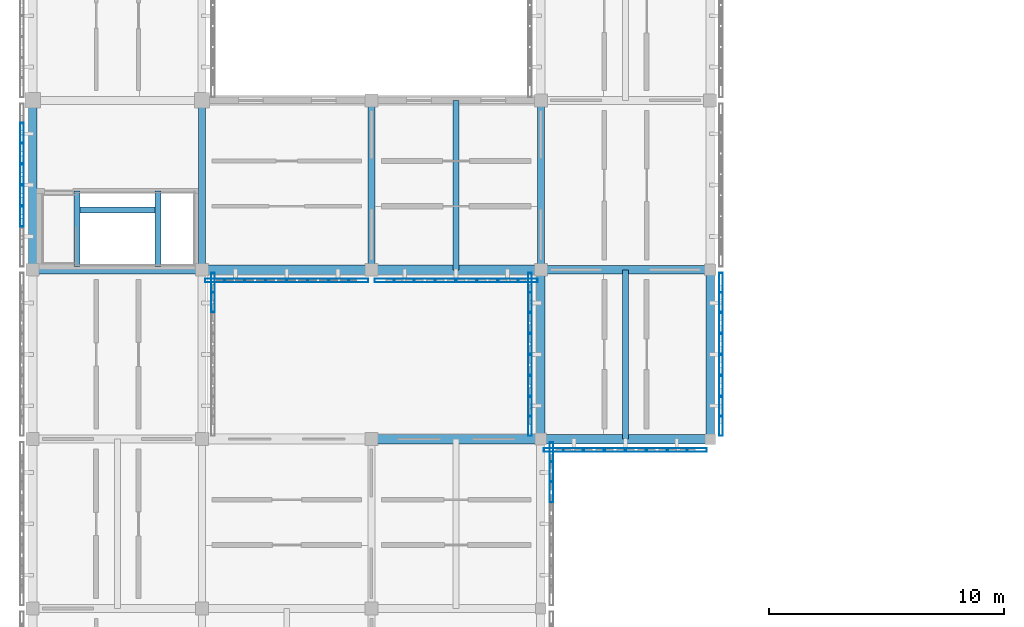
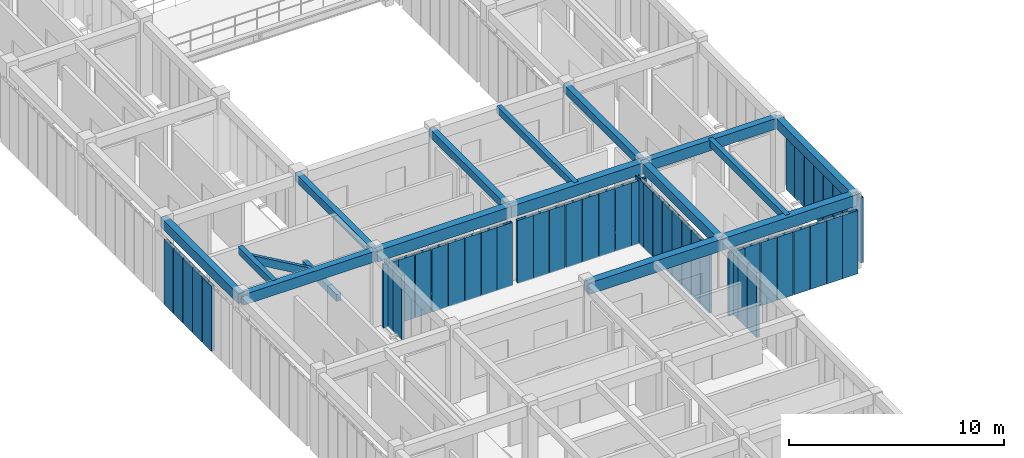
# One storey, part 6 of 91: 50 members, 17 beams, 8 elements without a shape of their own.
"""IFC4 building model written with IfcOpenShell, lengths in metres."""

from ifc_helpers import new_model, si_unit, direction, frame, origin, origin_2d, place, context, subcontext, project, spatial, rectangle, hollow_rectangle, extrude, material, material_profile, profile_set, type_object, element, aggregate, save


model = new_model("IFC4")

# Units and contexts
model_context = context("Model", 3, precision=1e-05, world=origin(), true_north=direction((0.0, 1.0)))
body_context = subcontext(model_context, "Body", "Model", "MODEL_VIEW")
ifc_project = project(units=[si_unit("LENGTHUNIT", "METRE"), si_unit("AREAUNIT", "SQUARE_METRE"), si_unit("VOLUMEUNIT", "CUBIC_METRE"), si_unit("PLANEANGLEUNIT", "RADIAN"), si_unit("MASSUNIT", "GRAM", prefix="KILO")], contexts=[model_context])

# Site, building, storey
site_placement = place(None, origin())
site = spatial("IfcSite", under=ifc_project, at=site_placement, CompositionType="ELEMENT")
building_placement = place(site_placement, origin())
building = spatial("IfcBuilding", under=site, at=building_placement, Name="Aldebral Square Health Centre", CompositionType="ELEMENT")
storey_placement = place(building_placement, frame((0.0, 0.0, 9.0)))
storey = spatial("IfcBuildingStorey", under=building, at=storey_placement, Name="L02", CompositionType="ELEMENT", Elevation=9.0)

# Beams
ifc_material_1 = material(Name="Concrete C40/50", Category="concrete")
ifc_material_profile_1 = material_profile(ifc_material_1, rectangle(XDim=0.39990234375, YDim=0.64990234375, at=origin_2d()), Name="RC 400x650")
ifc_profile_set_1 = profile_set([ifc_material_profile_1], Name="Concrete C40/50")
beam_type_1 = type_object("IfcBeamType", Name="BM-B1", PredefinedType="BEAM", material=ifc_profile_set_1)
beam_1_placement = place(storey_placement, frame((7.199951171875, 57.60009765625, 3.9150390625), z_axis=(1.0, 0.0, 0.0), x_axis=(0.0, 1.0, 0.0)))
element("IfcBeam", 1, at=beam_1_placement, inside=storey, type_object=beam_type_1, Name="L02 X-beam 2-3/G9", PredefinedType="BEAM", context=body_context, shape_type="SweptSolid", body=[
    extrude(rectangle(XDim=0.39990234375, YDim=0.64990234375, at=origin_2d()), origin(), (0.0, 0.0, 1.0), 7.199951171875),
])
for number, where, z_axis, x_axis, name in (
    (2, (14.39990234375, 50.39990234375, 3.9150390625), (1.0, 0.0, 0.0), (0.0, 1.0, 0.0), "L02 X-beam 3-4/G8"),
    (3, (14.39990234375, 57.60009765625, 3.9150390625), (1.0, 0.0, 0.0), (0.0, 1.0, 0.0), "L02 X-beam 3-4/G9"),
):
    element("IfcBeam", number, at=place(storey_placement, frame(where, z_axis=z_axis, x_axis=x_axis)), inside=storey, type_object=beam_type_1, Name=name, PredefinedType="BEAM", context=body_context, shape_type="SweptSolid", body=[
        extrude(rectangle(XDim=0.39990234375, YDim=0.64990234375, at=origin_2d()), origin(), (0.0, 0.0, 1.0), 7.2001953125),
    ])
beam_2_placement = place(storey_placement, frame((21.60009765625, 50.39990234375, 3.9150390625), z_axis=(1.0, 0.0, 0.0), x_axis=(0.0, 1.0, 0.0)))
element("IfcBeam", 4, at=beam_2_placement, inside=storey, type_object=beam_type_1, Name="L02 X-beam 4-5/G8", PredefinedType="BEAM", context=body_context, shape_type="SweptSolid", body=[
    extrude(rectangle(XDim=0.39990234375, YDim=0.64990234375, at=origin_2d()), origin(), (0.0, 0.0, 1.0), 7.199951171875),
])
ifc_material_profile_2 = material_profile(ifc_material_1, rectangle(XDim=0.35009765625, YDim=0.60009765625, at=origin_2d()), Name="RC 350x600")
ifc_profile_set_2 = profile_set([ifc_material_profile_2], Name="Concrete C40/50")
beam_type_2 = type_object("IfcBeamType", Name="BM-B2", PredefinedType="BEAM", material=ifc_profile_set_2)
for number, where, z_axis, x_axis, name in (
    (5, (0.0, 57.60009765625, 3.93994140625), (1.0, 0.0, 0.0), (0.0, 1.0, 0.0), "L02 X-beam 1-2/G9"),
    (6, (21.60009765625, 57.60009765625, 3.93994140625), (1.0, 0.0, 0.0), (0.0, 1.0, 0.0), "L02 X-beam 4-5/G9"),
):
    element("IfcBeam", number, at=place(storey_placement, frame(where, z_axis=z_axis, x_axis=x_axis)), inside=storey, type_object=beam_type_2, Name=name, PredefinedType="BEAM", context=body_context, shape_type="SweptSolid", body=[
        extrude(rectangle(XDim=0.35009765625, YDim=0.60009765625, at=origin_2d()), origin(), (0.0, 0.0, 1.0), 7.199951171875),
    ])
ifc_material_profile_3 = material_profile(ifc_material_1, rectangle(XDim=0.35009765625, YDim=0.550048828125, at=origin_2d()), Name="RC 350x550")
ifc_profile_set_3 = profile_set([ifc_material_profile_3], Name="Concrete C40/50")
beam_type_3 = type_object("IfcBeamType", Name="BM-B3", PredefinedType="BEAM", material=ifc_profile_set_3)
beam_3_placement = place(storey_placement, frame((0.0, 57.60009765625, 3.965087890625), z_axis=(0.0, 1.0, 0.0), x_axis=(-1.0, 0.0, 0.0)))
element("IfcBeam", 7, at=beam_3_placement, inside=storey, type_object=beam_type_3, Name="L02 Y-beam G1/9-10", PredefinedType="BEAM", context=body_context, shape_type="SweptSolid", body=[
    extrude(rectangle(XDim=0.35009765625, YDim=0.550048828125, at=origin_2d()), origin(), (0.0, 0.0, 1.0), 7.199951171875),
])
for number, where, z_axis, x_axis, name in (
    (8, (21.60009765625, 50.39990234375, 3.965087890625), (0.0, 1.0, 0.0), (-1.0, 0.0, 0.0), "L02 Y-beam G4/8-9"),
    (9, (28.800048828125, 50.39990234375, 3.965087890625), (0.0, 1.0, 0.0), (-1.0, 0.0, 0.0), "L02 Y-beam G5/8-9"),
):
    element("IfcBeam", number, at=place(storey_placement, frame(where, z_axis=z_axis, x_axis=x_axis)), inside=storey, type_object=beam_type_3, Name=name, PredefinedType="BEAM", context=body_context, shape_type="SweptSolid", body=[
        extrude(rectangle(XDim=0.35009765625, YDim=0.550048828125, at=origin_2d()), origin(), (0.0, 0.0, 1.0), 7.2001953125),
    ])
ifc_material_profile_4 = material_profile(ifc_material_1, rectangle(XDim=0.300048828125, YDim=0.449951171875, at=origin_2d()), Name="RC 300x450")
ifc_profile_set_4 = profile_set([ifc_material_profile_4], Name="Concrete C40/50")
beam_type_4 = type_object("IfcBeamType", Name="BM-B5", PredefinedType="BEAM", material=ifc_profile_set_4)
for number, where, z_axis, x_axis, name in (
    (10, (7.199951171875, 57.60009765625, 4.014892578125), (0.0, 1.0, 0.0), (-1.0, 0.0, 0.0), "L02 Y-beam G2/9-10"),
    (11, (14.39990234375, 57.60009765625, 4.014892578125), (0.0, 1.0, 0.0), (-1.0, 0.0, 0.0), "L02 Y-beam G3/9-10"),
    (12, (21.60009765625, 57.60009765625, 4.014892578125), (0.0, 1.0, 0.0), (-1.0, 0.0, 0.0), "L02 Y-beam G4/9-10"),
):
    element("IfcBeam", number, at=place(storey_placement, frame(where, z_axis=z_axis, x_axis=x_axis)), inside=storey, type_object=beam_type_4, Name=name, PredefinedType="BEAM", context=body_context, shape_type="SweptSolid", body=[
        extrude(rectangle(XDim=0.300048828125, YDim=0.449951171875, at=origin_2d()), origin(), (0.0, 0.0, 1.0), 7.199951171875),
    ])
ifc_material_profile_5 = material_profile(ifc_material_1, rectangle(XDim=0.25, YDim=0.39990234375, at=origin_2d()), Name="RC 250x400")
ifc_profile_set_5 = profile_set([ifc_material_profile_5], Name="Concrete C40/50")
beam_type_5 = type_object("IfcBeamType", Name="BM-B6", PredefinedType="JOIST", material=ifc_profile_set_5)
beam_4_placement = place(storey_placement, frame((18.0, 57.60009765625, 4.0400390625), z_axis=(0.0, 1.0, 0.0), x_axis=(-1.0, 0.0, 0.0)))
element("IfcBeam", 13, at=beam_4_placement, inside=storey, type_object=beam_type_5, Name="L02 secondary rib 3.9", PredefinedType="JOIST", context=body_context, shape_type="SweptSolid", body=[
    extrude(rectangle(XDim=0.25, YDim=0.39990234375, at=origin_2d()), origin(), (0.0, 0.0, 1.0), 7.199951171875),
])
beam_5_placement = place(storey_placement, frame((25.199951171875, 50.39990234375, 4.0400390625), z_axis=(0.0, 1.0, 0.0), x_axis=(-1.0, 0.0, 0.0)))
element("IfcBeam", 14, at=beam_5_placement, inside=storey, type_object=beam_type_5, Name="L02 secondary rib 4.8", PredefinedType="JOIST", context=body_context, shape_type="SweptSolid", body=[
    extrude(rectangle(XDim=0.25, YDim=0.39990234375, at=origin_2d()), origin(), (0.0, 0.0, 1.0), 7.2001953125),
])
for number, where, z_axis, x_axis, name in (
    (15, (5.320068359375, 57.72998046875, 2.050048828125), (0.0, 1.0, 0.0), (-1.0, 0.0, 0.0), "L02 WS-S11 half-landing beam"),
    (16, (1.8798828125, 57.72998046875, 4.0400390625), (0.0, 1.0, 0.0), (-1.0, 0.0, 0.0), "L02 WS-S11 upper landing beam"),
):
    element("IfcBeam", number, at=place(storey_placement, frame(where, z_axis=z_axis, x_axis=x_axis)), inside=storey, type_object=beam_type_5, Name=name, PredefinedType="JOIST", context=body_context, shape_type="SweptSolid", body=[
        extrude(rectangle(XDim=0.25, YDim=0.39990234375, at=origin_2d()), origin(), (0.0, 0.0, 1.0), 3.219970703125),
    ])
beam_6_placement = place(storey_placement, frame((5.320068359375, 60.139892578125, 2.050048828125), z_axis=(-0.865611281387, 0.0, 0.500716596025), x_axis=(0.0, -1.0, 0.0)))
element("IfcBeam", 17, at=beam_6_placement, inside=storey, type_object=beam_type_5, Name="L02 WS-S11 flight stringer beam", PredefinedType="JOIST", context=body_context, shape_type="SweptSolid", body=[
    extrude(rectangle(XDim=0.25, YDim=0.39990234375, at=origin_2d()), origin(), (0.0, 0.0, 1.0), 3.974365234375),
])

# Curtain wall, members
ifc_material_2 = material(Name="Aluminium and low-E solar glass", Category="aluminium")
curtain_wall_type = type_object("IfcCurtainWallType", Name="CW-FIN-SYS", PredefinedType="USERDEFINED", material=ifc_material_2)
curtain_wall_1_placement = place(storey_placement, origin())
curtain_wall_1 = element("IfcCurtainWall", 18, at=curtain_wall_1_placement, inside=storey, type_object=curtain_wall_type, Name="L02 V4 finned curtain wall L02-V4-00-07-E", ObjectType="SOLAR_CURTAIN_WALL", PredefinedType="USERDEFINED")
ifc_material_3 = material(Name="Sienna-terracotta clad aluminium fin", Category="masonry")
ifc_material_profile_6 = material_profile(ifc_material_3, hollow_rectangle(XDim=0.159912109375, YDim=0.85009765625, WallThickness=0.006103515625, at=origin_2d()), Name="FIN 160x850x6")
ifc_profile_set_6 = profile_set([ifc_material_profile_6], Name="Sienna-terracotta clad aluminium fin")
member_type = type_object("IfcMemberType", Name="CWM-FIN", PredefinedType="MULLION", material=ifc_profile_set_6)
member_1_placement = place(storey_placement, frame((7.659912109375, 56.228515625, 0.0), z_axis=(0.0, 0.0, 1.0), x_axis=(-1.0, 0.0, 0.0)))
member_1 = element("IfcMember", 19, at=member_1_placement, type_object=member_type, Name="CW1 mullion 7", PredefinedType="MULLION", context=body_context, shape_type="SweptSolid", body=[
    extrude(hollow_rectangle(XDim=0.159912109375, YDim=0.85009765625, WallThickness=0.006103515625, at=origin_2d()), origin(), (0.0, 0.0, 1.0), 3.68994140625),
])
member_2_placement = place(storey_placement, frame((7.659912109375, 57.0400390625, 0.0), z_axis=(0.0, 0.0, 1.0), x_axis=(-1.0, 0.0, 0.0)))
member_2 = element("IfcMember", 20, at=member_2_placement, type_object=member_type, Name="CW1 mullion 8", PredefinedType="MULLION", context=body_context, shape_type="SweptSolid", body=[
    extrude(hollow_rectangle(XDim=0.159912109375, YDim=0.85009765625, WallThickness=0.006103515625, at=origin_2d()), origin(), (0.0, 0.0, 1.0), 3.68994140625),
])
aggregate(curtain_wall_1, [member_1, member_2])

curtain_wall_2_placement = place(storey_placement, origin())
curtain_wall_2 = element("IfcCurtainWall", 21, at=curtain_wall_2_placement, inside=storey, type_object=curtain_wall_type, Name="L02 V4 finned curtain wall L02-V4-00-08-W", ObjectType="SOLAR_CURTAIN_WALL", PredefinedType="USERDEFINED")
member_3_placement = place(storey_placement, frame((-0.4599609375, 63.428466796875, 0.0), z_axis=(0.0, 0.0, 1.0), x_axis=(1.0, 0.0, 0.0)))
member_3 = element("IfcMember", 22, at=member_3_placement, type_object=member_type, Name="CW1 mullion 2", PredefinedType="MULLION", context=body_context, shape_type="SweptSolid", body=[
    extrude(hollow_rectangle(XDim=0.159912109375, YDim=0.85009765625, WallThickness=0.006103515625, at=origin_2d()), origin(), (0.0, 0.0, 1.0), 3.68994140625),
])
member_4_placement = place(storey_placement, frame((-0.4599609375, 62.537109375, 0.0), z_axis=(0.0, 0.0, 1.0), x_axis=(1.0, 0.0, 0.0)))
member_4 = element("IfcMember", 23, at=member_4_placement, type_object=member_type, Name="CW1 mullion 3", PredefinedType="MULLION", context=body_context, shape_type="SweptSolid", body=[
    extrude(hollow_rectangle(XDim=0.159912109375, YDim=0.85009765625, WallThickness=0.006103515625, at=origin_2d()), origin(), (0.0, 0.0, 1.0), 3.68994140625),
])
member_5_placement = place(storey_placement, frame((-0.4599609375, 61.645751953125, 0.0), z_axis=(0.0, 0.0, 1.0), x_axis=(1.0, 0.0, 0.0)))
member_5 = element("IfcMember", 24, at=member_5_placement, type_object=member_type, Name="CW1 mullion 4", PredefinedType="MULLION", context=body_context, shape_type="SweptSolid", body=[
    extrude(hollow_rectangle(XDim=0.159912109375, YDim=0.85009765625, WallThickness=0.006103515625, at=origin_2d()), origin(), (0.0, 0.0, 1.0), 3.68994140625),
])
member_6_placement = place(storey_placement, frame((-0.4599609375, 60.75439453125, 0.0), z_axis=(0.0, 0.0, 1.0), x_axis=(1.0, 0.0, 0.0)))
member_6 = element("IfcMember", 25, at=member_6_placement, type_object=member_type, Name="CW1 mullion 5", PredefinedType="MULLION", context=body_context, shape_type="SweptSolid", body=[
    extrude(hollow_rectangle(XDim=0.159912109375, YDim=0.85009765625, WallThickness=0.006103515625, at=origin_2d()), origin(), (0.0, 0.0, 1.0), 3.68994140625),
])
member_7_placement = place(storey_placement, frame((-0.4599609375, 59.86279296875, 0.0), z_axis=(0.0, 0.0, 1.0), x_axis=(1.0, 0.0, 0.0)))
member_7 = element("IfcMember", 26, at=member_7_placement, type_object=member_type, Name="CW1 mullion 6", PredefinedType="MULLION", context=body_context, shape_type="SweptSolid", body=[
    extrude(hollow_rectangle(XDim=0.159912109375, YDim=0.85009765625, WallThickness=0.006103515625, at=origin_2d()), origin(), (0.0, 0.0, 1.0), 3.68994140625),
])
aggregate(curtain_wall_2, [member_3, member_4, member_5, member_6, member_7])

curtain_wall_3_placement = place(storey_placement, origin())
curtain_wall_3 = element("IfcCurtainWall", 27, at=curtain_wall_3_placement, inside=storey, type_object=curtain_wall_type, Name="L02 V4 finned curtain wall L02-V4-01-08-S", ObjectType="SOLAR_CURTAIN_WALL", PredefinedType="USERDEFINED")
member_8_placement = place(storey_placement, frame((7.760009765625, 57.139892578125, 0.0), z_axis=(0.0, 0.0, 1.0), x_axis=(0.0, 1.0, 0.0)))
member_8 = element("IfcMember", 28, at=member_8_placement, type_object=member_type, Name="CW1 mullion 1", PredefinedType="MULLION", context=body_context, shape_type="SweptSolid", body=[
    extrude(hollow_rectangle(XDim=0.159912109375, YDim=0.85009765625, WallThickness=0.006103515625, at=origin_2d()), origin(), (0.0, 0.0, 1.0), 3.590087890625),
])
member_9_placement = place(storey_placement, frame((8.571533203125, 57.139892578125, 0.0), z_axis=(0.0, 0.0, 1.0), x_axis=(0.0, 1.0, 0.0)))
member_9 = element("IfcMember", 29, at=member_9_placement, type_object=member_type, Name="CW1 mullion 2", PredefinedType="MULLION", context=body_context, shape_type="SweptSolid", body=[
    extrude(hollow_rectangle(XDim=0.159912109375, YDim=0.85009765625, WallThickness=0.006103515625, at=origin_2d()), origin(), (0.0, 0.0, 1.0), 3.590087890625),
])
member_10_placement = place(storey_placement, frame((9.462890625, 57.139892578125, 0.0), z_axis=(0.0, 0.0, 1.0), x_axis=(0.0, 1.0, 0.0)))
member_10 = element("IfcMember", 30, at=member_10_placement, type_object=member_type, Name="CW1 mullion 3", PredefinedType="MULLION", context=body_context, shape_type="SweptSolid", body=[
    extrude(hollow_rectangle(XDim=0.159912109375, YDim=0.85009765625, WallThickness=0.006103515625, at=origin_2d()), origin(), (0.0, 0.0, 1.0), 3.590087890625),
])
member_11_placement = place(storey_placement, frame((10.354248046875, 57.139892578125, 0.0), z_axis=(0.0, 0.0, 1.0), x_axis=(0.0, 1.0, 0.0)))
member_11 = element("IfcMember", 31, at=member_11_placement, type_object=member_type, Name="CW1 mullion 4", PredefinedType="MULLION", context=body_context, shape_type="SweptSolid", body=[
    extrude(hollow_rectangle(XDim=0.159912109375, YDim=0.85009765625, WallThickness=0.006103515625, at=origin_2d()), origin(), (0.0, 0.0, 1.0), 3.590087890625),
])
member_12_placement = place(storey_placement, frame((11.24560546875, 57.139892578125, 0.0), z_axis=(0.0, 0.0, 1.0), x_axis=(0.0, 1.0, 0.0)))
member_12 = element("IfcMember", 32, at=member_12_placement, type_object=member_type, Name="CW1 mullion 5", PredefinedType="MULLION", context=body_context, shape_type="SweptSolid", body=[
    extrude(hollow_rectangle(XDim=0.159912109375, YDim=0.85009765625, WallThickness=0.006103515625, at=origin_2d()), origin(), (0.0, 0.0, 1.0), 3.590087890625),
])
member_13_placement = place(storey_placement, frame((12.13720703125, 57.139892578125, 0.0), z_axis=(0.0, 0.0, 1.0), x_axis=(0.0, 1.0, 0.0)))
member_13 = element("IfcMember", 33, at=member_13_placement, type_object=member_type, Name="CW1 mullion 6", PredefinedType="MULLION", context=body_context, shape_type="SweptSolid", body=[
    extrude(hollow_rectangle(XDim=0.159912109375, YDim=0.85009765625, WallThickness=0.006103515625, at=origin_2d()), origin(), (0.0, 0.0, 1.0), 3.590087890625),
])
member_14_placement = place(storey_placement, frame((13.028564453125, 57.139892578125, 0.0), z_axis=(0.0, 0.0, 1.0), x_axis=(0.0, 1.0, 0.0)))
member_14 = element("IfcMember", 34, at=member_14_placement, type_object=member_type, Name="CW1 mullion 7", PredefinedType="MULLION", context=body_context, shape_type="SweptSolid", body=[
    extrude(hollow_rectangle(XDim=0.159912109375, YDim=0.85009765625, WallThickness=0.006103515625, at=origin_2d()), origin(), (0.0, 0.0, 1.0), 3.590087890625),
])
member_15_placement = place(storey_placement, frame((13.840087890625, 57.139892578125, 0.0), z_axis=(0.0, 0.0, 1.0), x_axis=(0.0, 1.0, 0.0)))
member_15 = element("IfcMember", 35, at=member_15_placement, type_object=member_type, Name="CW1 mullion 8", PredefinedType="MULLION", context=body_context, shape_type="SweptSolid", body=[
    extrude(hollow_rectangle(XDim=0.159912109375, YDim=0.85009765625, WallThickness=0.006103515625, at=origin_2d()), origin(), (0.0, 0.0, 1.0), 3.590087890625),
])
aggregate(curtain_wall_3, [member_8, member_9, member_10, member_11, member_12, member_13, member_14, member_15])

curtain_wall_4_placement = place(storey_placement, origin())
curtain_wall_4 = element("IfcCurtainWall", 36, at=curtain_wall_4_placement, inside=storey, type_object=curtain_wall_type, Name="L02 V6 finned curtain wall L02-V6-02-06-E", ObjectType="SOLAR_CURTAIN_WALL", PredefinedType="USERDEFINED")
member_16_placement = place(storey_placement, frame((22.06005859375, 48.13720703125, 0.0), z_axis=(0.0, 0.0, 1.0), x_axis=(-1.0, 0.0, 0.0)))
member_16 = element("IfcMember", 37, at=member_16_placement, type_object=member_type, Name="CW1 mullion 6", PredefinedType="MULLION", context=body_context, shape_type="SweptSolid", body=[
    extrude(hollow_rectangle(XDim=0.159912109375, YDim=0.85009765625, WallThickness=0.006103515625, at=origin_2d()), origin(), (0.0, 0.0, 1.0), 3.68994140625),
])
member_17_placement = place(storey_placement, frame((22.06005859375, 49.028564453125, 0.0), z_axis=(0.0, 0.0, 1.0), x_axis=(-1.0, 0.0, 0.0)))
member_17 = element("IfcMember", 38, at=member_17_placement, type_object=member_type, Name="CW1 mullion 7", PredefinedType="MULLION", context=body_context, shape_type="SweptSolid", body=[
    extrude(hollow_rectangle(XDim=0.159912109375, YDim=0.85009765625, WallThickness=0.006103515625, at=origin_2d()), origin(), (0.0, 0.0, 1.0), 3.68994140625),
])
member_18_placement = place(storey_placement, frame((22.06005859375, 49.840087890625, 0.0), z_axis=(0.0, 0.0, 1.0), x_axis=(-1.0, 0.0, 0.0)))
member_18 = element("IfcMember", 39, at=member_18_placement, type_object=member_type, Name="CW1 mullion 8", PredefinedType="MULLION", context=body_context, shape_type="SweptSolid", body=[
    extrude(hollow_rectangle(XDim=0.159912109375, YDim=0.85009765625, WallThickness=0.006103515625, at=origin_2d()), origin(), (0.0, 0.0, 1.0), 3.68994140625),
])
aggregate(curtain_wall_4, [member_16, member_17, member_18])

curtain_wall_5_placement = place(storey_placement, origin())
curtain_wall_5 = element("IfcCurtainWall", 40, at=curtain_wall_5_placement, inside=storey, type_object=curtain_wall_type, Name="L02 V4 finned curtain wall L02-V4-02-08-S", ObjectType="SOLAR_CURTAIN_WALL", PredefinedType="USERDEFINED")
member_19_placement = place(storey_placement, frame((14.9599609375, 57.139892578125, 0.0), z_axis=(0.0, 0.0, 1.0), x_axis=(0.0, 1.0, 0.0)))
member_19 = element("IfcMember", 41, at=member_19_placement, type_object=member_type, Name="CW1 mullion 1", PredefinedType="MULLION", context=body_context, shape_type="SweptSolid", body=[
    extrude(hollow_rectangle(XDim=0.159912109375, YDim=0.85009765625, WallThickness=0.006103515625, at=origin_2d()), origin(), (0.0, 0.0, 1.0), 3.590087890625),
])
member_20_placement = place(storey_placement, frame((15.771484375, 57.139892578125, 0.0), z_axis=(0.0, 0.0, 1.0), x_axis=(0.0, 1.0, 0.0)))
member_20 = element("IfcMember", 42, at=member_20_placement, type_object=member_type, Name="CW1 mullion 2", PredefinedType="MULLION", context=body_context, shape_type="SweptSolid", body=[
    extrude(hollow_rectangle(XDim=0.159912109375, YDim=0.85009765625, WallThickness=0.006103515625, at=origin_2d()), origin(), (0.0, 0.0, 1.0), 3.590087890625),
])
member_21_placement = place(storey_placement, frame((16.662841796875, 57.139892578125, 0.0), z_axis=(0.0, 0.0, 1.0), x_axis=(0.0, 1.0, 0.0)))
member_21 = element("IfcMember", 43, at=member_21_placement, type_object=member_type, Name="CW1 mullion 3", PredefinedType="MULLION", context=body_context, shape_type="SweptSolid", body=[
    extrude(hollow_rectangle(XDim=0.159912109375, YDim=0.85009765625, WallThickness=0.006103515625, at=origin_2d()), origin(), (0.0, 0.0, 1.0), 3.590087890625),
])
member_22_placement = place(storey_placement, frame((17.55419921875, 57.139892578125, 0.0), z_axis=(0.0, 0.0, 1.0), x_axis=(0.0, 1.0, 0.0)))
member_22 = element("IfcMember", 44, at=member_22_placement, type_object=member_type, Name="CW1 mullion 4", PredefinedType="MULLION", context=body_context, shape_type="SweptSolid", body=[
    extrude(hollow_rectangle(XDim=0.159912109375, YDim=0.85009765625, WallThickness=0.006103515625, at=origin_2d()), origin(), (0.0, 0.0, 1.0), 3.590087890625),
])
member_23_placement = place(storey_placement, frame((18.44580078125, 57.139892578125, 0.0), z_axis=(0.0, 0.0, 1.0), x_axis=(0.0, 1.0, 0.0)))
member_23 = element("IfcMember", 45, at=member_23_placement, type_object=member_type, Name="CW1 mullion 5", PredefinedType="MULLION", context=body_context, shape_type="SweptSolid", body=[
    extrude(hollow_rectangle(XDim=0.159912109375, YDim=0.85009765625, WallThickness=0.006103515625, at=origin_2d()), origin(), (0.0, 0.0, 1.0), 3.590087890625),
])
member_24_placement = place(storey_placement, frame((19.337158203125, 57.139892578125, 0.0), z_axis=(0.0, 0.0, 1.0), x_axis=(0.0, 1.0, 0.0)))
member_24 = element("IfcMember", 46, at=member_24_placement, type_object=member_type, Name="CW1 mullion 6", PredefinedType="MULLION", context=body_context, shape_type="SweptSolid", body=[
    extrude(hollow_rectangle(XDim=0.159912109375, YDim=0.85009765625, WallThickness=0.006103515625, at=origin_2d()), origin(), (0.0, 0.0, 1.0), 3.590087890625),
])
member_25_placement = place(storey_placement, frame((20.228515625, 57.139892578125, 0.0), z_axis=(0.0, 0.0, 1.0), x_axis=(0.0, 1.0, 0.0)))
member_25 = element("IfcMember", 47, at=member_25_placement, type_object=member_type, Name="CW1 mullion 7", PredefinedType="MULLION", context=body_context, shape_type="SweptSolid", body=[
    extrude(hollow_rectangle(XDim=0.159912109375, YDim=0.85009765625, WallThickness=0.006103515625, at=origin_2d()), origin(), (0.0, 0.0, 1.0), 3.590087890625),
])
member_26_placement = place(storey_placement, frame((21.0400390625, 57.139892578125, 0.0), z_axis=(0.0, 0.0, 1.0), x_axis=(0.0, 1.0, 0.0)))
member_26 = element("IfcMember", 48, at=member_26_placement, type_object=member_type, Name="CW1 mullion 8", PredefinedType="MULLION", context=body_context, shape_type="SweptSolid", body=[
    extrude(hollow_rectangle(XDim=0.159912109375, YDim=0.85009765625, WallThickness=0.006103515625, at=origin_2d()), origin(), (0.0, 0.0, 1.0), 3.590087890625),
])
aggregate(curtain_wall_5, [member_19, member_20, member_21, member_22, member_23, member_24, member_25, member_26])

curtain_wall_6_placement = place(storey_placement, origin())
curtain_wall_6 = element("IfcCurtainWall", 49, at=curtain_wall_6_placement, inside=storey, type_object=curtain_wall_type, Name="L02 V4 finned curtain wall L02-V4-03-07-S", ObjectType="SOLAR_CURTAIN_WALL", PredefinedType="USERDEFINED")
member_27_placement = place(storey_placement, frame((22.159912109375, 49.93994140625, 0.0), z_axis=(0.0, 0.0, 1.0), x_axis=(0.0, 1.0, 0.0)))
member_27 = element("IfcMember", 50, at=member_27_placement, type_object=member_type, Name="CW1 mullion 1", PredefinedType="MULLION", context=body_context, shape_type="SweptSolid", body=[
    extrude(hollow_rectangle(XDim=0.159912109375, YDim=0.85009765625, WallThickness=0.006103515625, at=origin_2d()), origin(), (0.0, 0.0, 1.0), 3.590087890625),
])
member_28_placement = place(storey_placement, frame((22.971435546875, 49.93994140625, 0.0), z_axis=(0.0, 0.0, 1.0), x_axis=(0.0, 1.0, 0.0)))
member_28 = element("IfcMember", 51, at=member_28_placement, type_object=member_type, Name="CW1 mullion 2", PredefinedType="MULLION", context=body_context, shape_type="SweptSolid", body=[
    extrude(hollow_rectangle(XDim=0.159912109375, YDim=0.85009765625, WallThickness=0.006103515625, at=origin_2d()), origin(), (0.0, 0.0, 1.0), 3.590087890625),
])
member_29_placement = place(storey_placement, frame((23.86279296875, 49.93994140625, 0.0), z_axis=(0.0, 0.0, 1.0), x_axis=(0.0, 1.0, 0.0)))
member_29 = element("IfcMember", 52, at=member_29_placement, type_object=member_type, Name="CW1 mullion 3", PredefinedType="MULLION", context=body_context, shape_type="SweptSolid", body=[
    extrude(hollow_rectangle(XDim=0.159912109375, YDim=0.85009765625, WallThickness=0.006103515625, at=origin_2d()), origin(), (0.0, 0.0, 1.0), 3.590087890625),
])
member_30_placement = place(storey_placement, frame((24.75439453125, 49.93994140625, 0.0), z_axis=(0.0, 0.0, 1.0), x_axis=(0.0, 1.0, 0.0)))
member_30 = element("IfcMember", 53, at=member_30_placement, type_object=member_type, Name="CW1 mullion 4", PredefinedType="MULLION", context=body_context, shape_type="SweptSolid", body=[
    extrude(hollow_rectangle(XDim=0.159912109375, YDim=0.85009765625, WallThickness=0.006103515625, at=origin_2d()), origin(), (0.0, 0.0, 1.0), 3.590087890625),
])
member_31_placement = place(storey_placement, frame((25.645751953125, 49.93994140625, 0.0), z_axis=(0.0, 0.0, 1.0), x_axis=(0.0, 1.0, 0.0)))
member_31 = element("IfcMember", 54, at=member_31_placement, type_object=member_type, Name="CW1 mullion 5", PredefinedType="MULLION", context=body_context, shape_type="SweptSolid", body=[
    extrude(hollow_rectangle(XDim=0.159912109375, YDim=0.85009765625, WallThickness=0.006103515625, at=origin_2d()), origin(), (0.0, 0.0, 1.0), 3.590087890625),
])
member_32_placement = place(storey_placement, frame((26.537109375, 49.93994140625, 0.0), z_axis=(0.0, 0.0, 1.0), x_axis=(0.0, 1.0, 0.0)))
member_32 = element("IfcMember", 55, at=member_32_placement, type_object=member_type, Name="CW1 mullion 6", PredefinedType="MULLION", context=body_context, shape_type="SweptSolid", body=[
    extrude(hollow_rectangle(XDim=0.159912109375, YDim=0.85009765625, WallThickness=0.006103515625, at=origin_2d()), origin(), (0.0, 0.0, 1.0), 3.590087890625),
])
member_33_placement = place(storey_placement, frame((27.428466796875, 49.93994140625, 0.0), z_axis=(0.0, 0.0, 1.0), x_axis=(0.0, 1.0, 0.0)))
member_33 = element("IfcMember", 56, at=member_33_placement, type_object=member_type, Name="CW1 mullion 7", PredefinedType="MULLION", context=body_context, shape_type="SweptSolid", body=[
    extrude(hollow_rectangle(XDim=0.159912109375, YDim=0.85009765625, WallThickness=0.006103515625, at=origin_2d()), origin(), (0.0, 0.0, 1.0), 3.590087890625),
])
member_34_placement = place(storey_placement, frame((28.239990234375, 49.93994140625, 0.0), z_axis=(0.0, 0.0, 1.0), x_axis=(0.0, 1.0, 0.0)))
member_34 = element("IfcMember", 57, at=member_34_placement, type_object=member_type, Name="CW1 mullion 8", PredefinedType="MULLION", context=body_context, shape_type="SweptSolid", body=[
    extrude(hollow_rectangle(XDim=0.159912109375, YDim=0.85009765625, WallThickness=0.006103515625, at=origin_2d()), origin(), (0.0, 0.0, 1.0), 3.590087890625),
])
aggregate(curtain_wall_6, [member_27, member_28, member_29, member_30, member_31, member_32, member_33, member_34])

curtain_wall_7_placement = place(storey_placement, origin())
curtain_wall_7 = element("IfcCurtainWall", 58, at=curtain_wall_7_placement, inside=storey, type_object=curtain_wall_type, Name="L02 V4 finned curtain wall L02-V4-03-07-W", ObjectType="SOLAR_CURTAIN_WALL", PredefinedType="USERDEFINED")
member_35_placement = place(storey_placement, frame((21.139892578125, 57.0400390625, 0.0), z_axis=(0.0, 0.0, 1.0), x_axis=(1.0, 0.0, 0.0)))
member_35 = element("IfcMember", 59, at=member_35_placement, type_object=member_type, Name="CW1 mullion 1", PredefinedType="MULLION", context=body_context, shape_type="SweptSolid", body=[
    extrude(hollow_rectangle(XDim=0.159912109375, YDim=0.85009765625, WallThickness=0.006103515625, at=origin_2d()), origin(), (0.0, 0.0, 1.0), 3.68994140625),
])
member_36_placement = place(storey_placement, frame((21.139892578125, 56.228515625, 0.0), z_axis=(0.0, 0.0, 1.0), x_axis=(1.0, 0.0, 0.0)))
member_36 = element("IfcMember", 60, at=member_36_placement, type_object=member_type, Name="CW1 mullion 2", PredefinedType="MULLION", context=body_context, shape_type="SweptSolid", body=[
    extrude(hollow_rectangle(XDim=0.159912109375, YDim=0.85009765625, WallThickness=0.006103515625, at=origin_2d()), origin(), (0.0, 0.0, 1.0), 3.68994140625),
])
member_37_placement = place(storey_placement, frame((21.139892578125, 55.337158203125, 0.0), z_axis=(0.0, 0.0, 1.0), x_axis=(1.0, 0.0, 0.0)))
member_37 = element("IfcMember", 61, at=member_37_placement, type_object=member_type, Name="CW1 mullion 3", PredefinedType="MULLION", context=body_context, shape_type="SweptSolid", body=[
    extrude(hollow_rectangle(XDim=0.159912109375, YDim=0.85009765625, WallThickness=0.006103515625, at=origin_2d()), origin(), (0.0, 0.0, 1.0), 3.68994140625),
])
member_38_placement = place(storey_placement, frame((21.139892578125, 54.44580078125, 0.0), z_axis=(0.0, 0.0, 1.0), x_axis=(1.0, 0.0, 0.0)))
member_38 = element("IfcMember", 62, at=member_38_placement, type_object=member_type, Name="CW1 mullion 4", PredefinedType="MULLION", context=body_context, shape_type="SweptSolid", body=[
    extrude(hollow_rectangle(XDim=0.159912109375, YDim=0.85009765625, WallThickness=0.006103515625, at=origin_2d()), origin(), (0.0, 0.0, 1.0), 3.68994140625),
])
member_39_placement = place(storey_placement, frame((21.139892578125, 53.55419921875, 0.0), z_axis=(0.0, 0.0, 1.0), x_axis=(1.0, 0.0, 0.0)))
member_39 = element("IfcMember", 63, at=member_39_placement, type_object=member_type, Name="CW1 mullion 5", PredefinedType="MULLION", context=body_context, shape_type="SweptSolid", body=[
    extrude(hollow_rectangle(XDim=0.159912109375, YDim=0.85009765625, WallThickness=0.006103515625, at=origin_2d()), origin(), (0.0, 0.0, 1.0), 3.68994140625),
])
member_40_placement = place(storey_placement, frame((21.139892578125, 52.662841796875, 0.0), z_axis=(0.0, 0.0, 1.0), x_axis=(1.0, 0.0, 0.0)))
member_40 = element("IfcMember", 64, at=member_40_placement, type_object=member_type, Name="CW1 mullion 6", PredefinedType="MULLION", context=body_context, shape_type="SweptSolid", body=[
    extrude(hollow_rectangle(XDim=0.159912109375, YDim=0.85009765625, WallThickness=0.006103515625, at=origin_2d()), origin(), (0.0, 0.0, 1.0), 3.68994140625),
])
member_41_placement = place(storey_placement, frame((21.139892578125, 51.771484375, 0.0), z_axis=(0.0, 0.0, 1.0), x_axis=(1.0, 0.0, 0.0)))
member_41 = element("IfcMember", 65, at=member_41_placement, type_object=member_type, Name="CW1 mullion 7", PredefinedType="MULLION", context=body_context, shape_type="SweptSolid", body=[
    extrude(hollow_rectangle(XDim=0.159912109375, YDim=0.85009765625, WallThickness=0.006103515625, at=origin_2d()), origin(), (0.0, 0.0, 1.0), 3.68994140625),
])
member_42_placement = place(storey_placement, frame((21.139892578125, 50.9599609375, 0.0), z_axis=(0.0, 0.0, 1.0), x_axis=(1.0, 0.0, 0.0)))
member_42 = element("IfcMember", 66, at=member_42_placement, type_object=member_type, Name="CW1 mullion 8", PredefinedType="MULLION", context=body_context, shape_type="SweptSolid", body=[
    extrude(hollow_rectangle(XDim=0.159912109375, YDim=0.85009765625, WallThickness=0.006103515625, at=origin_2d()), origin(), (0.0, 0.0, 1.0), 3.68994140625),
])
aggregate(curtain_wall_7, [member_35, member_36, member_37, member_38, member_39, member_40, member_41, member_42])

curtain_wall_8_placement = place(storey_placement, origin())
curtain_wall_8 = element("IfcCurtainWall", 67, at=curtain_wall_8_placement, inside=storey, type_object=curtain_wall_type, Name="L02 V4 finned curtain wall L02-V4-03-07-E", ObjectType="SOLAR_CURTAIN_WALL", PredefinedType="USERDEFINED")
member_43_placement = place(storey_placement, frame((29.260009765625, 50.9599609375, 0.0), z_axis=(0.0, 0.0, 1.0), x_axis=(-1.0, 0.0, 0.0)))
member_43 = element("IfcMember", 68, at=member_43_placement, type_object=member_type, Name="CW1 mullion 1", PredefinedType="MULLION", context=body_context, shape_type="SweptSolid", body=[
    extrude(hollow_rectangle(XDim=0.159912109375, YDim=0.85009765625, WallThickness=0.006103515625, at=origin_2d()), origin(), (0.0, 0.0, 1.0), 3.68994140625),
])
member_44_placement = place(storey_placement, frame((29.260009765625, 51.771484375, 0.0), z_axis=(0.0, 0.0, 1.0), x_axis=(-1.0, 0.0, 0.0)))
member_44 = element("IfcMember", 69, at=member_44_placement, type_object=member_type, Name="CW1 mullion 2", PredefinedType="MULLION", context=body_context, shape_type="SweptSolid", body=[
    extrude(hollow_rectangle(XDim=0.159912109375, YDim=0.85009765625, WallThickness=0.006103515625, at=origin_2d()), origin(), (0.0, 0.0, 1.0), 3.68994140625),
])
member_45_placement = place(storey_placement, frame((29.260009765625, 52.662841796875, 0.0), z_axis=(0.0, 0.0, 1.0), x_axis=(-1.0, 0.0, 0.0)))
member_45 = element("IfcMember", 70, at=member_45_placement, type_object=member_type, Name="CW1 mullion 3", PredefinedType="MULLION", context=body_context, shape_type="SweptSolid", body=[
    extrude(hollow_rectangle(XDim=0.159912109375, YDim=0.85009765625, WallThickness=0.006103515625, at=origin_2d()), origin(), (0.0, 0.0, 1.0), 3.68994140625),
])
member_46_placement = place(storey_placement, frame((29.260009765625, 53.55419921875, 0.0), z_axis=(0.0, 0.0, 1.0), x_axis=(-1.0, 0.0, 0.0)))
member_46 = element("IfcMember", 71, at=member_46_placement, type_object=member_type, Name="CW1 mullion 4", PredefinedType="MULLION", context=body_context, shape_type="SweptSolid", body=[
    extrude(hollow_rectangle(XDim=0.159912109375, YDim=0.85009765625, WallThickness=0.006103515625, at=origin_2d()), origin(), (0.0, 0.0, 1.0), 3.68994140625),
])
member_47_placement = place(storey_placement, frame((29.260009765625, 54.44580078125, 0.0), z_axis=(0.0, 0.0, 1.0), x_axis=(-1.0, 0.0, 0.0)))
member_47 = element("IfcMember", 72, at=member_47_placement, type_object=member_type, Name="CW1 mullion 5", PredefinedType="MULLION", context=body_context, shape_type="SweptSolid", body=[
    extrude(hollow_rectangle(XDim=0.159912109375, YDim=0.85009765625, WallThickness=0.006103515625, at=origin_2d()), origin(), (0.0, 0.0, 1.0), 3.68994140625),
])
member_48_placement = place(storey_placement, frame((29.260009765625, 55.337158203125, 0.0), z_axis=(0.0, 0.0, 1.0), x_axis=(-1.0, 0.0, 0.0)))
member_48 = element("IfcMember", 73, at=member_48_placement, type_object=member_type, Name="CW1 mullion 6", PredefinedType="MULLION", context=body_context, shape_type="SweptSolid", body=[
    extrude(hollow_rectangle(XDim=0.159912109375, YDim=0.85009765625, WallThickness=0.006103515625, at=origin_2d()), origin(), (0.0, 0.0, 1.0), 3.68994140625),
])
member_49_placement = place(storey_placement, frame((29.260009765625, 56.228515625, 0.0), z_axis=(0.0, 0.0, 1.0), x_axis=(-1.0, 0.0, 0.0)))
member_49 = element("IfcMember", 74, at=member_49_placement, type_object=member_type, Name="CW1 mullion 7", PredefinedType="MULLION", context=body_context, shape_type="SweptSolid", body=[
    extrude(hollow_rectangle(XDim=0.159912109375, YDim=0.85009765625, WallThickness=0.006103515625, at=origin_2d()), origin(), (0.0, 0.0, 1.0), 3.68994140625),
])
member_50_placement = place(storey_placement, frame((29.260009765625, 57.0400390625, 0.0), z_axis=(0.0, 0.0, 1.0), x_axis=(-1.0, 0.0, 0.0)))
member_50 = element("IfcMember", 75, at=member_50_placement, type_object=member_type, Name="CW1 mullion 8", PredefinedType="MULLION", context=body_context, shape_type="SweptSolid", body=[
    extrude(hollow_rectangle(XDim=0.159912109375, YDim=0.85009765625, WallThickness=0.006103515625, at=origin_2d()), origin(), (0.0, 0.0, 1.0), 3.68994140625),
])
aggregate(curtain_wall_8, [member_43, member_44, member_45, member_46, member_47, member_48, member_49, member_50])

save(model, "model.ifc")
